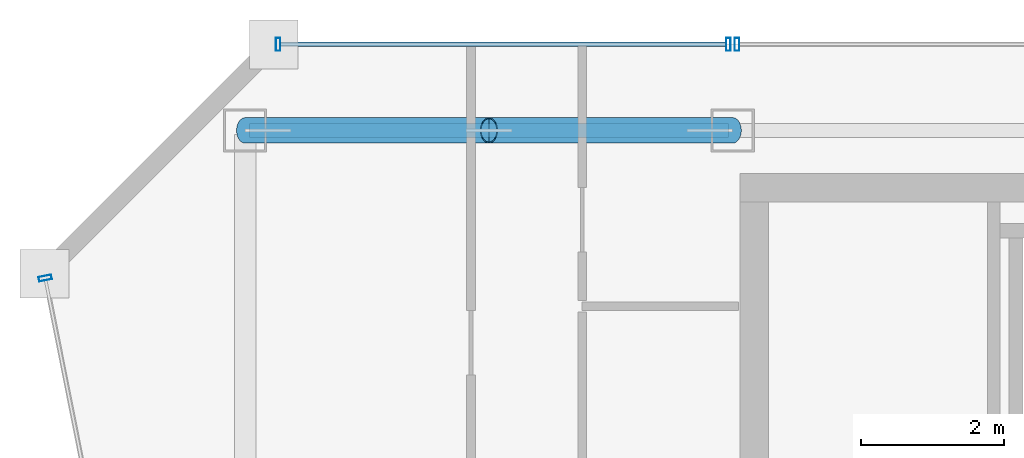
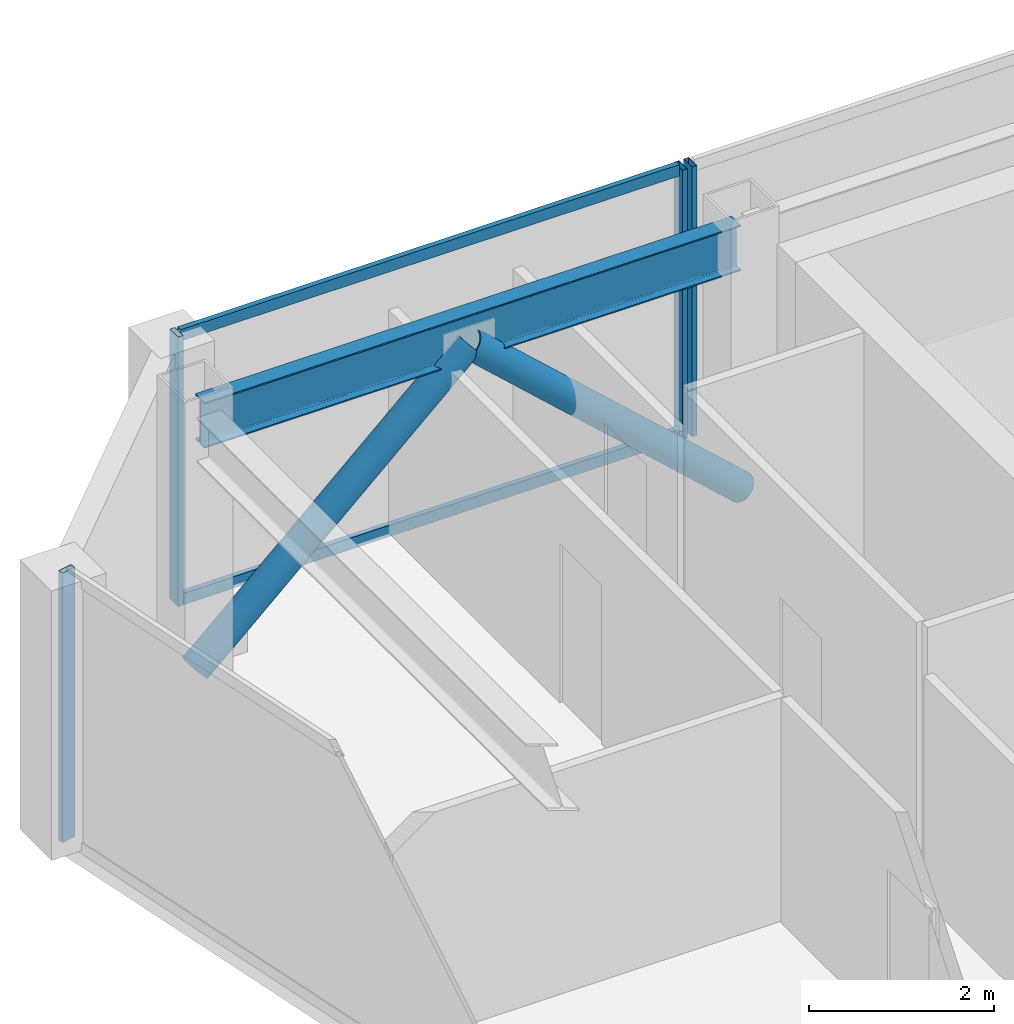
# One storey, part 9 of 23: 8 members, 1 beam, 3 elements without a shape of their own.
"""IFC4 building model written with IfcOpenShell, lengths in metres."""

from ifc_helpers import new_model, si_unit, direction, frame, origin, origin_2d, place, context, subcontext, project, spatial, hollow_rectangle, hollow_circle, i_section, extrude, material, material_profile, profile_set, type_object, element, aggregate, save


model = new_model("IFC4")

# Units and contexts
model_context = context("Model", 3, precision=1e-05, world=origin(), true_north=direction((0.0, 1.0)))
body_context = subcontext(model_context, "Body", "Model", "MODEL_VIEW")
ifc_project = project(units=[si_unit("LENGTHUNIT", "METRE"), si_unit("AREAUNIT", "SQUARE_METRE"), si_unit("VOLUMEUNIT", "CUBIC_METRE"), si_unit("PLANEANGLEUNIT", "RADIAN"), si_unit("MASSUNIT", "GRAM", prefix="KILO")], contexts=[model_context])

# Site, building, storey
site_placement = place(None, origin())
site = spatial("IfcSite", under=ifc_project, at=site_placement, CompositionType="ELEMENT")
building_placement = place(site_placement, origin())
building = spatial("IfcBuilding", under=site, at=building_placement, Name="Saevonmaru Cultural Tower", CompositionType="ELEMENT")
storey_placement = place(building_placement, frame((0.0, 0.0, 302.800048828125)))
storey = spatial("IfcBuildingStorey", under=building, at=storey_placement, Name="L72", CompositionType="ELEMENT", Elevation=302.800048828125)

# Beam
ifc_material_1 = material(Name="Steel SM355", Category="steel")
ifc_material_profile_1 = material_profile(ifc_material_1, i_section(OverallWidth=0.199951171875, OverallDepth=0.60009765625, WebThickness=0.010986328125, FlangeThickness=0.01708984375, FilletRadius=0.02197265625, at=origin_2d()), Name="H-600x200x11x17")
ifc_profile_set_1 = profile_set([ifc_material_profile_1], Name="Steel SM355")
beam_type = type_object("IfcBeamType", Name="BM-SP-H600", PredefinedType="SPANDREL", material=ifc_profile_set_1)
beam_placement = place(storey_placement, frame((6.860107421875, 54.800048828125, 3.25), z_axis=(1.0, 0.0, 0.0), x_axis=(0.0, 1.0, 0.0)))
element("IfcBeam", 1, at=beam_placement, inside=storey, type_object=beam_type, Name="L72 North Spine Girder 1", PredefinedType="SPANDREL", context=body_context, shape_type="SweptSolid", body=[
    extrude(i_section(OverallWidth=0.199951171875, OverallDepth=0.60009765625, WebThickness=0.010986328125, FlangeThickness=0.01708984375, FilletRadius=0.02197265625, at=origin_2d()), origin(), (0.0, 0.0, 1.0), 6.679931640625),
])

# Members
ifc_material_profile_2 = material_profile(ifc_material_1, hollow_circle(Radius=0.177734375, WallThickness=0.01611328125, at=origin_2d()), Name="CHS-355.6x16")
ifc_profile_set_2 = profile_set([ifc_material_profile_2], Name="Steel SM355")
member_type_1 = type_object("IfcMemberType", Name="MB-PBR-CHS356", PredefinedType="BRACE", material=ifc_profile_set_2)
member_1_placement = place(storey_placement, frame((6.800048828125, 54.800048828125, 0.02001953125), z_axis=(0.738962060105, 0.0, 0.673747039864), x_axis=(0.0, 1.0, 0.0)))
element("IfcMember", 2, at=member_1_placement, inside=storey, type_object=member_type_1, Name="L72 Perimeter Braced-Tube Diagonal WN1", PredefinedType="BRACE", context=body_context, shape_type="SweptSolid", body=[
    extrude(hollow_circle(Radius=0.177734375, WallThickness=0.01611328125, at=origin_2d()), origin(), (0.0, 0.0, 1.0), 4.600830078125),
])
member_2_placement = place(storey_placement, frame((13.60009765625, 54.800048828125, 0.02001953125), z_axis=(-0.738986146064, 0.0, 0.673720621568), x_axis=(0.0, -1.0, 0.0)))
element("IfcMember", 3, at=member_2_placement, inside=storey, type_object=member_type_1, Name="L72 Perimeter Braced-Tube Diagonal WN2", PredefinedType="BRACE", context=body_context, shape_type="SweptSolid", body=[
    extrude(hollow_circle(Radius=0.177734375, WallThickness=0.01611328125, at=origin_2d()), origin(), (0.0, 0.0, 1.0), 4.60107421875),
])

# Curtain wall, member
ifc_material_2 = material(Name="Satin Bronze Anodised Aluminium", Category="aluminium")
curtain_wall_type = type_object("IfcCurtainWallType", Name="CW-TYP-B", PredefinedType="NOTDEFINED", material=ifc_material_2)
curtain_wall_1_placement = place(storey_placement, origin())
curtain_wall_1 = element("IfcCurtainWall", 4, at=curtain_wall_1_placement, inside=storey, type_object=curtain_wall_type, Name="L72 North Spine Unitised Curtain Wall E10B", PredefinedType="NOTDEFINED")
ifc_material_profile_3 = material_profile(ifc_material_2, hollow_rectangle(XDim=0.06494140625, YDim=0.179931640625, WallThickness=0.00390625, at=origin_2d()), Name="ALU-MULL-180x65x4")
ifc_profile_set_3 = profile_set([ifc_material_profile_3], Name="Satin Bronze Anodised Aluminium")
member_type_2 = type_object("IfcMemberType", Name="ML-CW-180x65", PredefinedType="MULLION", material=ifc_profile_set_3)
member_3_placement = place(storey_placement, frame((13.659912109375, 56.0, 0.0), z_axis=(0.0, 0.0, 1.0), x_axis=(-1.0, 0.0, 0.0)))
member_3 = element("IfcMember", 5, at=member_3_placement, type_object=member_type_2, Name="CW-TW-L72-E10B mullion 4", PredefinedType="MULLION", context=body_context, shape_type="SweptSolid", body=[
    extrude(hollow_rectangle(XDim=0.06494140625, YDim=0.179931640625, WallThickness=0.00390625, at=origin_2d()), origin(), (0.0, 0.0, 1.0), 3.550048828125),
])
aggregate(curtain_wall_1, [member_3])

# Curtain wall, members
curtain_wall_2_placement = place(storey_placement, origin())
curtain_wall_2 = element("IfcCurtainWall", 6, at=curtain_wall_2_placement, inside=storey, type_object=curtain_wall_type, Name="L72 West Braced Bay Spandrel Curtain Wall E10C", PredefinedType="NOTDEFINED")
member_4_placement = place(storey_placement, frame((13.5400390625, 56.0, 0.0), z_axis=(0.0, 0.0, 1.0), x_axis=(-1.0, 0.0, 0.0)))
member_4 = element("IfcMember", 7, at=member_4_placement, type_object=member_type_2, Name="CW-TW-L72-E10C mullion 1", PredefinedType="MULLION", context=body_context, shape_type="SweptSolid", body=[
    extrude(hollow_rectangle(XDim=0.06494140625, YDim=0.179931640625, WallThickness=0.00390625, at=origin_2d()), origin(), (0.0, 0.0, 1.0), 3.550048828125),
])
member_5_placement = place(storey_placement, frame((7.260009765625, 56.0, 0.0), z_axis=(0.0, 0.0, 1.0), x_axis=(-1.0, 0.0, 0.0)))
member_5 = element("IfcMember", 8, at=member_5_placement, type_object=member_type_2, Name="CW-TW-L72-E10C mullion 2", PredefinedType="MULLION", context=body_context, shape_type="SweptSolid", body=[
    extrude(hollow_rectangle(XDim=0.06494140625, YDim=0.179931640625, WallThickness=0.00390625, at=origin_2d()), origin(), (0.0, 0.0, 1.0), 3.550048828125),
])

# Curtain wall, member
curtain_wall_3_placement = place(storey_placement, origin())
curtain_wall_3 = element("IfcCurtainWall", 9, at=curtain_wall_3_placement, inside=storey, type_object=curtain_wall_type, Name="L72 Unitised Curtain Wall E12", PredefinedType="NOTDEFINED")
member_6_placement = place(storey_placement, frame((4.01171875, 52.7412109375, 0.0), z_axis=(0.0, 0.0, 1.0), x_axis=(0.195005484813, -0.980802151758, 0.0)))
member_6 = element("IfcMember", 10, at=member_6_placement, type_object=member_type_2, Name="CW-TW-L72-E12 mullion 1", PredefinedType="MULLION", context=body_context, shape_type="SweptSolid", body=[
    extrude(hollow_rectangle(XDim=0.06494140625, YDim=0.179931640625, WallThickness=0.00390625, at=origin_2d()), origin(), (0.0, 0.0, 1.0), 3.550048828125),
])
aggregate(curtain_wall_3, [member_6])

# Member
ifc_material_profile_4 = material_profile(ifc_material_2, hollow_rectangle(XDim=0.06494140625, YDim=0.14990234375, WallThickness=0.00390625, at=origin_2d()), Name="ALU-TRAN-150x65x4")
ifc_profile_set_4 = profile_set([ifc_material_profile_4], Name="Satin Bronze Anodised Aluminium")
member_type_3 = type_object("IfcMemberType", Name="TR-CW-150x65", PredefinedType="USERDEFINED", material=ifc_profile_set_4)
member_7_placement = place(storey_placement, frame((13.507568359375, 56.0, 0.032470703125), z_axis=(-1.0, 0.0, 0.0), x_axis=(0.0, -1.0, 0.0)))
member_7 = element("IfcMember", 11, at=member_7_placement, type_object=member_type_3, Name="CW-TW-L72-E10C transom 1.1", ObjectType="TRANSOM", PredefinedType="USERDEFINED", context=body_context, shape_type="SweptSolid", body=[
    extrude(hollow_rectangle(XDim=0.06494140625, YDim=0.14990234375, WallThickness=0.00390625, at=origin_2d()), origin(), (0.0, 0.0, 1.0), 6.215087890625),
])

member_8_placement = place(storey_placement, frame((13.507568359375, 56.0, 3.517333984375), z_axis=(-1.0, 0.0, 0.0), x_axis=(0.0, -1.0, 0.0)))
member_8 = element("IfcMember", 12, at=member_8_placement, type_object=member_type_3, Name="CW-TW-L72-E10C transom 1.2", ObjectType="TRANSOM", PredefinedType="USERDEFINED", context=body_context, shape_type="SweptSolid", body=[
    extrude(hollow_rectangle(XDim=0.06494140625, YDim=0.14990234375, WallThickness=0.00390625, at=origin_2d()), origin(), (0.0, 0.0, 1.0), 6.215087890625),
])

aggregate(curtain_wall_2, [member_4, member_5, member_7, member_8])

save(model, "model.ifc")
